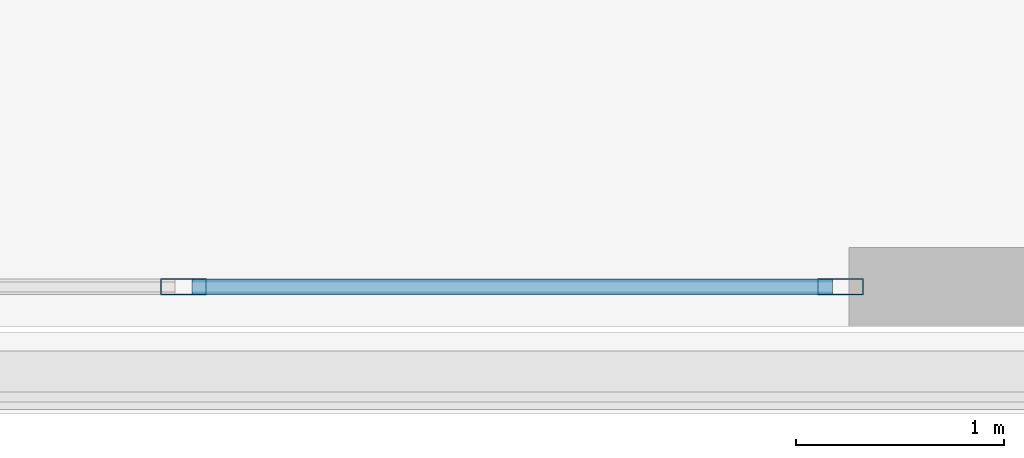
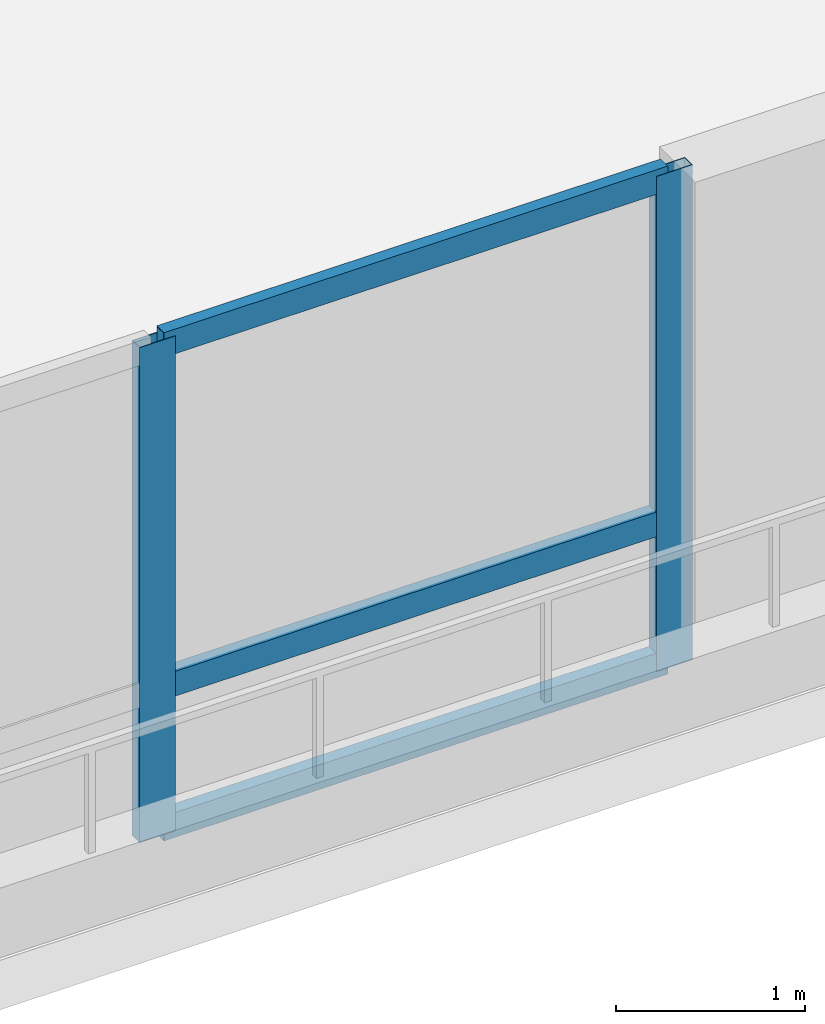
# One storey, part 4 of 16: 5 members, 1 element without a shape of its own.
"""IFC4 building model written with IfcOpenShell, lengths in metres."""

from ifc_helpers import new_model, si_unit, direction, frame, origin, origin_2d, place, context, subcontext, project, spatial, hollow_rectangle, extrude, source, transform, mapped, material, material_profile, profile_set, type_object, element, aggregate, save


model = new_model("IFC4")

# Units and contexts
model_context = context("Model", 3, precision=1e-05, world=origin(), true_north=direction((0.0, 1.0)))
body_context = subcontext(model_context, "Body", "Model", "MODEL_VIEW")
ifc_project = project(units=[si_unit("LENGTHUNIT", "METRE"), si_unit("AREAUNIT", "SQUARE_METRE"), si_unit("VOLUMEUNIT", "CUBIC_METRE"), si_unit("PLANEANGLEUNIT", "RADIAN"), si_unit("MASSUNIT", "GRAM", prefix="KILO")], contexts=[model_context])

# Site, building, storey
site_placement = place(None, origin())
site = spatial("IfcSite", under=ifc_project, at=site_placement, CompositionType="ELEMENT")
building_placement = place(site_placement, origin())
building = spatial("IfcBuilding", under=site, at=building_placement, Name="Olszyna Solenne Hotel", CompositionType="ELEMENT")
storey_placement = place(building_placement, frame((0.0, 0.0, 20.10009765625)))
storey = spatial("IfcBuildingStorey", under=building, at=storey_placement, Name="L04", CompositionType="ELEMENT", Elevation=20.10009765625)

# Curtain wall, members
ifc_material = material(Name="Anodised bronze aluminium", Category="aluminium")
curtain_wall_type = type_object("IfcCurtainWallType", Name="CW-SYS-1", PredefinedType="NOTDEFINED", material=ifc_material)
curtain_wall_placement = place(storey_placement, origin())
curtain_wall = element("IfcCurtainWall", 1, at=curtain_wall_placement, inside=storey, type_object=curtain_wall_type, Name="Unitised curtain wall CW-SYS-1 CW-L04-01", PredefinedType="NOTDEFINED")
ifc_material_profile_1 = material_profile(ifc_material, hollow_rectangle(XDim=0.074951171875, YDim=0.159912109375, WallThickness=0.00390625, at=origin_2d()), Name="TRAN 160x75x4", Category="load-bearing")
ifc_profile_set_1 = profile_set([ifc_material_profile_1], Name="Anodised bronze aluminium")
member_type_1 = type_object("IfcMemberType", Name="CW-T1", PredefinedType="USERDEFINED", material=ifc_profile_set_1)
shared_shape_1 = source(origin(), body_context, "Body", "SweptSolid", [
    extrude(hollow_rectangle(XDim=0.074951171875, YDim=0.159912109375, WallThickness=0.00390625, at=origin_2d()), origin(), (0.0, 0.0, 1.0), 3.080078125),
])
member_1_placement = place(storey_placement, frame((38.0400390625, 4.469970703125, 0.037353515625), z_axis=(1.0, 0.0, 0.0), x_axis=(0.0, 1.0, 0.0)))
member_1 = element("IfcMember", 2, at=member_1_placement, type_object=member_type_1, Name="Curtain-wall transom CW-T1 CT-L04-01-04", ObjectType="TRANSOM", PredefinedType="USERDEFINED", context=body_context, shape_type="MappedRepresentation", body=[
    mapped(shared_shape_1, transform((0.0, 0.0, 0.0), x_axis=(1.0, 0.0, 0.0), y_axis=(0.0, 1.0, 0.0), z_axis=(0.0, 0.0, 1.0), scale=1.0)),
])
member_2_placement = place(storey_placement, frame((38.0400390625, 4.469970703125, 0.949951171875), z_axis=(1.0, 0.0, 0.0), x_axis=(0.0, 1.0, 0.0)))
member_2 = element("IfcMember", 3, at=member_2_placement, type_object=member_type_1, Name="Curtain-wall transom CW-T1 CT-L04-01-05", ObjectType="TRANSOM", PredefinedType="USERDEFINED", context=body_context, shape_type="MappedRepresentation", body=[
    mapped(shared_shape_1, transform((0.0, 0.0, 0.0), x_axis=(1.0, 0.0, 0.0), y_axis=(0.0, 1.0, 0.0), z_axis=(0.0, 0.0, 1.0), scale=1.0)),
])
member_3_placement = place(storey_placement, frame((38.0400390625, 4.469970703125, 3.162353515625), z_axis=(1.0, 0.0, 0.0), x_axis=(0.0, 1.0, 0.0)))
member_3 = element("IfcMember", 4, at=member_3_placement, type_object=member_type_1, Name="Curtain-wall transom CW-T1 CT-L04-01-06", ObjectType="TRANSOM", PredefinedType="USERDEFINED", context=body_context, shape_type="MappedRepresentation", body=[
    mapped(shared_shape_1, transform((0.0, 0.0, 0.0), x_axis=(1.0, 0.0, 0.0), y_axis=(0.0, 1.0, 0.0), z_axis=(0.0, 0.0, 1.0), scale=1.0)),
])
ifc_material_profile_2 = material_profile(ifc_material, hollow_rectangle(XDim=0.080078125, YDim=0.219970703125, WallThickness=0.0048828125, at=origin_2d()), Name="MULL 220x80x5", Category="load-bearing")
ifc_profile_set_2 = profile_set([ifc_material_profile_2], Name="Anodised bronze aluminium")
member_type_2 = type_object("IfcMemberType", Name="CW-M1", PredefinedType="MULLION", material=ifc_profile_set_2)
shared_shape_2 = source(origin(), body_context, "Body", "SweptSolid", [
    extrude(hollow_rectangle(XDim=0.080078125, YDim=0.219970703125, WallThickness=0.0048828125, at=origin_2d()), origin(), (0.0, 0.0, 1.0), 3.199951171875),
])
member_4_placement = place(storey_placement, frame((38.0, 4.469970703125, 0.0), z_axis=(0.0, 0.0, 1.0), x_axis=(0.0, 1.0, 0.0)))
member_4 = element("IfcMember", 5, at=member_4_placement, type_object=member_type_2, Name="Curtain-wall mullion CW-M1 CM-L04-01-02", PredefinedType="MULLION", context=body_context, shape_type="MappedRepresentation", body=[
    mapped(shared_shape_2, transform((0.0, 0.0, 0.0), x_axis=(1.0, 0.0, 0.0), y_axis=(0.0, 1.0, 0.0), z_axis=(0.0, 0.0, 1.0), scale=1.0)),
])
member_5_placement = place(storey_placement, frame((41.159912109375, 4.469970703125, 0.0), z_axis=(0.0, 0.0, 1.0), x_axis=(0.0, 1.0, 0.0)))
member_5 = element("IfcMember", 6, at=member_5_placement, type_object=member_type_2, Name="Curtain-wall mullion CW-M1 CM-L04-01-03", PredefinedType="MULLION", context=body_context, shape_type="MappedRepresentation", body=[
    mapped(shared_shape_2, transform((0.0, 0.0, 0.0), x_axis=(1.0, 0.0, 0.0), y_axis=(0.0, 1.0, 0.0), z_axis=(0.0, 0.0, 1.0), scale=1.0)),
])
aggregate(curtain_wall, [member_4, member_5, member_1, member_2, member_3])

save(model, "model.ifc")
